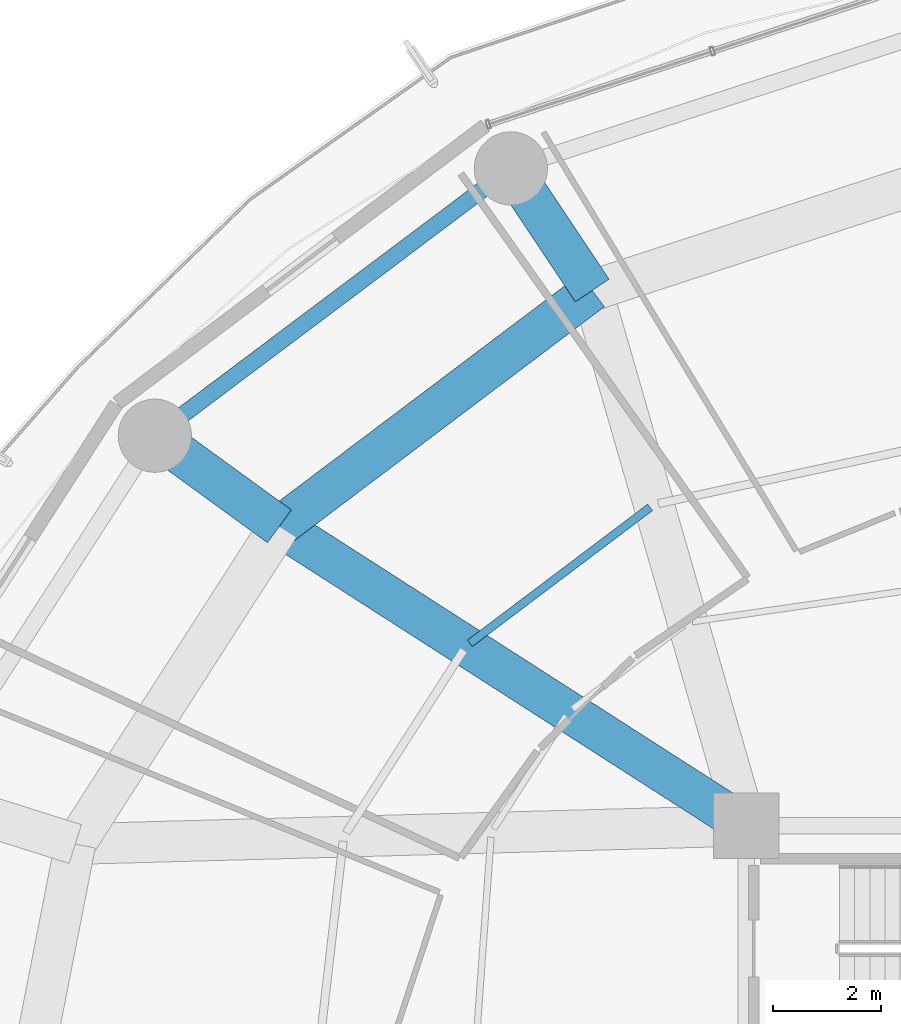
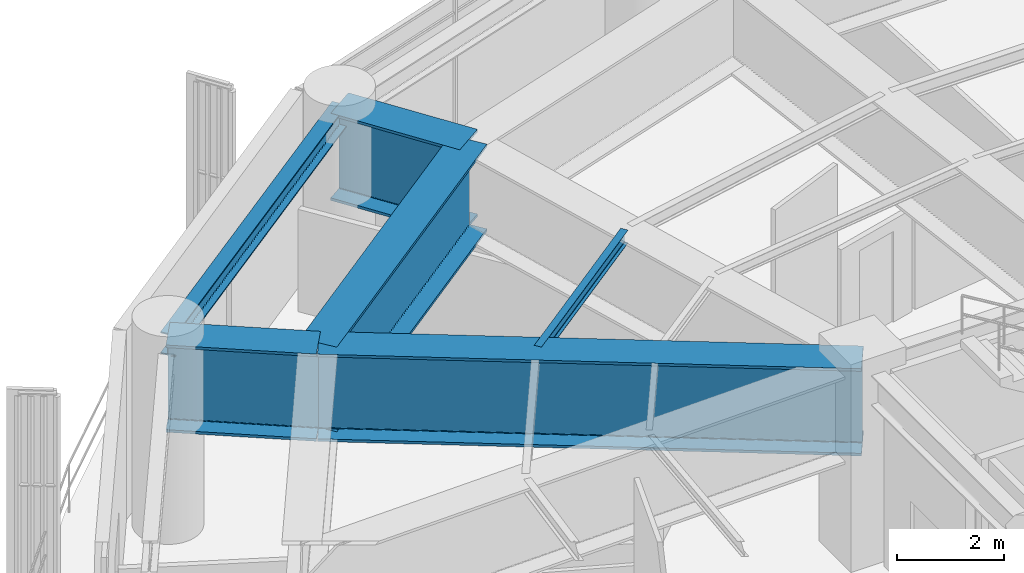
# One storey, part 17 of 34: 6 beams.
"""IFC4 building model written with IfcOpenShell, lengths in metres."""

from ifc_helpers import new_model, si_unit, direction, frame, origin, origin_2d, place, context, subcontext, project, spatial, i_section, extrude, material, material_profile, profile_set, type_object, element, save


model = new_model("IFC4")

# Units and contexts
model_context = context("Model", 3, precision=1e-05, world=origin(), true_north=direction((0.0, 1.0)))
body_context = subcontext(model_context, "Body", "Model", "MODEL_VIEW")
ifc_project = project(units=[si_unit("LENGTHUNIT", "METRE"), si_unit("AREAUNIT", "SQUARE_METRE"), si_unit("VOLUMEUNIT", "CUBIC_METRE"), si_unit("PLANEANGLEUNIT", "RADIAN"), si_unit("MASSUNIT", "GRAM", prefix="KILO")], contexts=[model_context])

# Site, building, storey
site_placement = place(None, origin())
site = spatial("IfcSite", under=ifc_project, at=site_placement, CompositionType="ELEMENT")
building_placement = place(site_placement, origin())
building = spatial("IfcBuilding", under=site, at=building_placement, Name="Kelanora Arch Commons", CompositionType="ELEMENT")
storey_placement = place(building_placement, frame((0.0, 0.0, 125.10009765625)))
storey = spatial("IfcBuildingStorey", under=building, at=storey_placement, Name="L32", CompositionType="ELEMENT", Elevation=125.10009765625)

# Beams
ifc_material = material(Name="Steel S355", Category="steel")
ifc_material_profile_1 = material_profile(ifc_material, i_section(OverallWidth=0.14990234375, OverallDepth=0.300048828125, WebThickness=0.007080078125, FlangeThickness=0.0107421875, FilletRadius=0.014892578125, at=origin_2d()), Name="IPE300")
ifc_profile_set_1 = profile_set([ifc_material_profile_1], Name="Steel S355")
beam_type_1 = type_object("IfcBeamType", Name="BM-JST-01", PredefinedType="JOIST", material=ifc_profile_set_1)
beam_1_placement = place(storey_placement, frame((64.22802734375, 70.870849609375, 4.2099609375), z_axis=(-0.798463547891, -0.602043156833, 0.0), x_axis=(0.602043156833, -0.798463547891, 0.0)))
element("IfcBeam", 1, at=beam_1_placement, inside=storey, type_object=beam_type_1, Name="Secondary Chord Joist BJB-12 L32", PredefinedType="JOIST", context=body_context, shape_type="SweptSolid", body=[
    extrude(i_section(OverallWidth=0.14990234375, OverallDepth=0.300048828125, WebThickness=0.007080078125, FlangeThickness=0.0107421875, FilletRadius=0.014892578125, at=origin_2d()), origin(), (0.0, 0.0, 1.0), 4.163818359375),
])
ifc_material_profile_2 = material_profile(ifc_material, i_section(OverallWidth=0.300048828125, OverallDepth=0.5, WebThickness=0.014404296875, FlangeThickness=0.028076171875, FilletRadius=0.027099609375, at=origin_2d()), Name="HEB500")
ifc_profile_set_2 = profile_set([ifc_material_profile_2], Name="Steel S355")
beam_type_2 = type_object("IfcBeamType", Name="BM-SPN-Z2", PredefinedType="SPANDREL", material=ifc_profile_set_2)
beam_2_placement = place(storey_placement, frame((61.659912109375, 77.121826171875, 4.10986328125), z_axis=(-0.799735861602, -0.600352023123, 0.0), x_axis=(0.600352023123, -0.799735861602, 0.0)))
element("IfcBeam", 2, at=beam_2_placement, inside=storey, type_object=beam_type_2, Name="Perimeter Spandrel Beam BS-12 L32", PredefinedType="SPANDREL", context=body_context, shape_type="SweptSolid", body=[
    extrude(i_section(OverallWidth=0.300048828125, OverallDepth=0.5, WebThickness=0.014404296875, FlangeThickness=0.028076171875, FilletRadius=0.027099609375, at=origin_2d()), origin(), (0.0, 0.0, 1.0), 8.210205078125),
])
ifc_material_profile_3 = material_profile(ifc_material, i_section(OverallWidth=0.75, OverallDepth=2.0, WebThickness=0.034912109375, FlangeThickness=0.06005859375, FilletRadius=0.028076171875, at=origin_2d()), Name="PG2000x750")
ifc_profile_set_3 = profile_set([ifc_material_profile_3], Name="Steel S355")
beam_type_3 = type_object("IfcBeamType", Name="BM-XFER-SET", PredefinedType="USERDEFINED", material=ifc_profile_set_3)
beam_3_placement = place(storey_placement, frame((63.159912109375, 74.8701171875, 3.35986328125), z_axis=(-0.554408631196, 0.832244597252, 0.0), x_axis=(-0.832244597252, -0.554408631196, 0.0)))
element("IfcBeam", 3, at=beam_3_placement, inside=storey, type_object=beam_type_3, Name="Radial Floor Girder BR-12 L32", ObjectType="TRANSFER_GIRDER", PredefinedType="USERDEFINED", context=body_context, shape_type="SweptSolid", body=[
    extrude(i_section(OverallWidth=0.75, OverallDepth=2.0, WebThickness=0.034912109375, FlangeThickness=0.06005859375, FilletRadius=0.028076171875, at=origin_2d()), origin(), (0.0, 0.0, 1.0), 2.70556640625),
])
beam_4_placement = place(storey_placement, frame((66.0, 65.0, 3.35986328125), z_axis=(-0.841719465748, 0.539915123868, 0.0), x_axis=(-0.539915123868, -0.841719465748, 0.0)))
element("IfcBeam", 4, at=beam_4_placement, inside=storey, type_object=beam_type_3, Name="Setback Radial Transfer Girder BRI-14 L32", ObjectType="TRANSFER_GIRDER", PredefinedType="USERDEFINED", context=body_context, shape_type="SweptSolid", body=[
    extrude(i_section(OverallWidth=0.75, OverallDepth=2.0, WebThickness=0.034912109375, FlangeThickness=0.06005859375, FilletRadius=0.028076171875, at=origin_2d()), origin(), (0.0, 0.0, 1.0), 10.2265625),
])
beam_5_placement = place(storey_placement, frame((57.39208984375, 70.521484375, 3.35986328125), z_axis=(-0.808728653653, 0.588181914683, 0.0), x_axis=(-0.588181914683, -0.808728653653, 0.0)))
element("IfcBeam", 5, at=beam_5_placement, inside=storey, type_object=beam_type_3, Name="Radial Floor Girder BR-14 L32", ObjectType="TRANSFER_GIRDER", PredefinedType="USERDEFINED", context=body_context, shape_type="SweptSolid", body=[
    extrude(i_section(OverallWidth=0.75, OverallDepth=2.0, WebThickness=0.034912109375, FlangeThickness=0.06005859375, FilletRadius=0.028076171875, at=origin_2d()), origin(), (0.0, 0.0, 1.0), 2.841552734375),
])
beam_6_placement = place(storey_placement, frame((63.159912109375, 74.8701171875, 3.35986328125), z_axis=(-0.798484645564, -0.60201517489, 0.0), x_axis=(0.60201517489, -0.798484645564, 0.0)))
element("IfcBeam", 6, at=beam_6_placement, inside=storey, type_object=beam_type_3, Name="Setback Inner Transfer Ring BSI-12 L32", ObjectType="TRANSFER_GIRDER", PredefinedType="USERDEFINED", context=body_context, shape_type="SweptSolid", body=[
    extrude(i_section(OverallWidth=0.75, OverallDepth=2.0, WebThickness=0.034912109375, FlangeThickness=0.06005859375, FilletRadius=0.028076171875, at=origin_2d()), origin(), (0.0, 0.0, 1.0), 7.223388671875),
])

save(model, "model.ifc")
